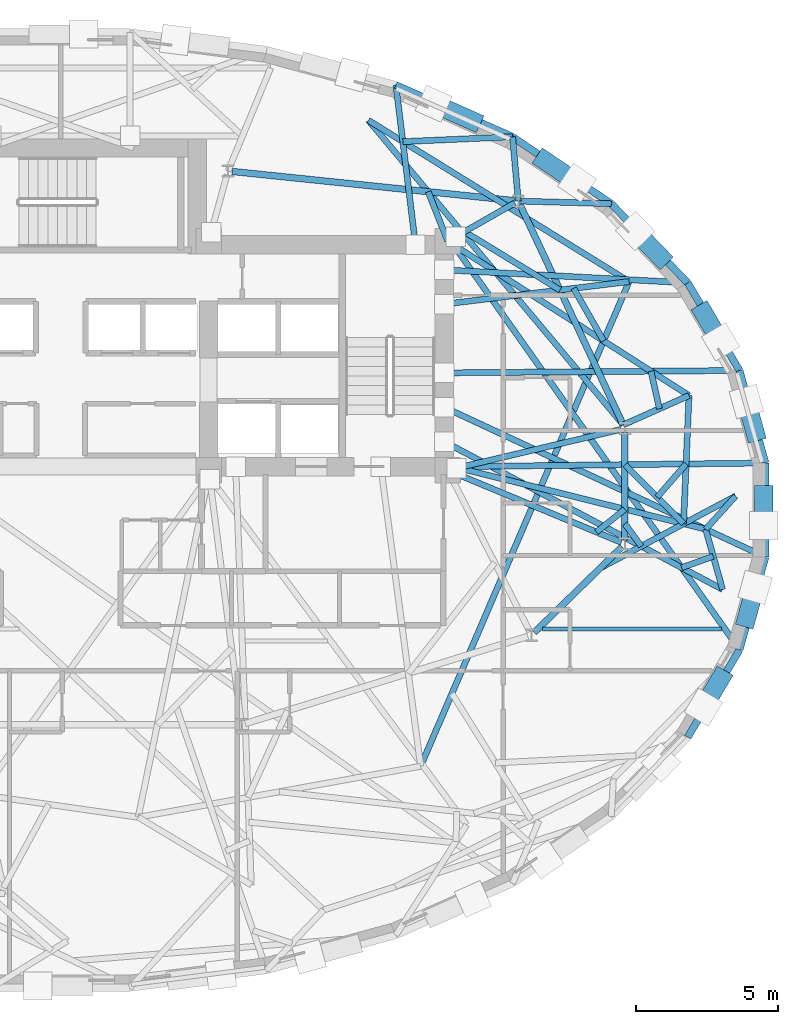
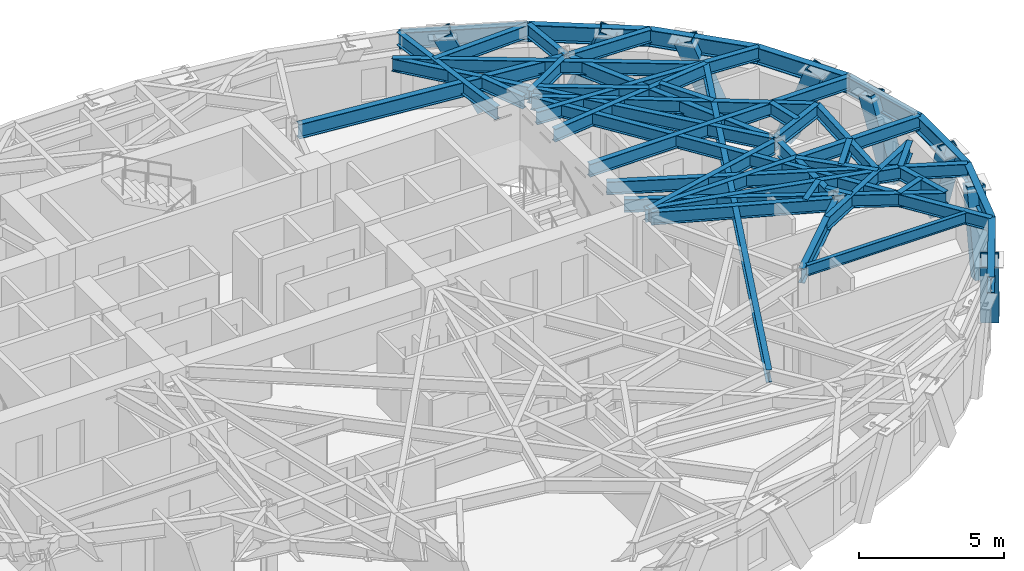
# One storey, part 4 of 15: 46 beams, 8 members.
"""IFC4 building model written with IfcOpenShell, lengths in metres."""

from ifc_helpers import new_model, si_unit, direction, frame, origin, origin_2d, place, context, subcontext, project, spatial, hollow_rectangle, i_section, extrude, material, material_profile, profile_set, type_object, element, save


model = new_model("IFC4")

# Units and contexts
model_context = context("Model", 3, precision=1e-05, world=origin(), true_north=direction((0.0, 1.0)))
body_context = subcontext(model_context, "Body", "Model", "MODEL_VIEW")
ifc_project = project(units=[si_unit("LENGTHUNIT", "METRE"), si_unit("AREAUNIT", "SQUARE_METRE"), si_unit("VOLUMEUNIT", "CUBIC_METRE"), si_unit("PLANEANGLEUNIT", "RADIAN"), si_unit("MASSUNIT", "GRAM", prefix="KILO")], contexts=[model_context])

# Site, building, storey
site_placement = place(None, origin())
site = spatial("IfcSite", under=ifc_project, at=site_placement, CompositionType="ELEMENT")
building_placement = place(site_placement, origin())
building = spatial("IfcBuilding", under=site, at=building_placement, Name="Keldmark Tower", CompositionType="ELEMENT")
storey_placement = place(building_placement, frame((0.0, 0.0, 159.800048828125)))
storey = spatial("IfcBuildingStorey", under=building, at=storey_placement, Name="L43", CompositionType="ELEMENT", Elevation=159.800048828125)

# Beam
ifc_material_1 = material(Name="Steel ASTM A992 Grade 50", Category="steel")
ifc_material_profile_1 = material_profile(ifc_material_1, i_section(OverallWidth=0.153076171875, OverallDepth=0.455078125, WebThickness=0.008056640625, FlangeThickness=0.01318359375, at=origin_2d()), Name="W18X40")
ifc_profile_set_1 = profile_set([ifc_material_profile_1], Name="Steel ASTM A992 Grade 50")
beam_type_1 = type_object("IfcBeamType", Name="Composite Floor Joist W18X40", PredefinedType="JOIST", material=ifc_profile_set_1)
beam_1_placement = place(storey_placement, frame((16.923095703125, -4.179931640625, 2.79248046875), z_axis=(1.0, 0.0, 0.0), x_axis=(0.0, 1.0, 0.0)))
element("IfcBeam", 1, at=beam_1_placement, inside=storey, type_object=beam_type_1, Name="L43 Composite Floor Joist J05", PredefinedType="JOIST", context=body_context, shape_type="SweptSolid", body=[
    extrude(i_section(OverallWidth=0.153076171875, OverallDepth=0.455078125, WebThickness=0.008056640625, FlangeThickness=0.01318359375, at=origin_2d()), origin(), (0.0, 0.0, 1.0), 6.30224609375),
])

# Members
ifc_material_2 = material(Name="Steel ASTM A572 Grade 50", Category="steel")
ifc_material_profile_2 = material_profile(ifc_material_2, hollow_rectangle(XDim=0.64990234375, YDim=0.64990234375, WallThickness=0.0400390625, at=origin_2d()), Name="BOX650X650X40")
ifc_profile_set_2 = profile_set([ifc_material_profile_2], Name="Steel ASTM A572 Grade 50")
member_type = type_object("IfcMemberType", Name="Diagrid Zone 3 Brace BOX650X650X40", PredefinedType="BRACE", material=ifc_profile_set_2)
member_1_placement = place(storey_placement, frame((24.4033203125, 2.731689453125, -0.260009765625), z_axis=(-0.090395452008, 0.323152823602, 0.942019593668), x_axis=(-0.963031569275, -0.269388560595, 0.0)))
element("IfcMember", 2, at=member_1_placement, inside=storey, type_object=member_type, Name="L43 Perimeter Diagrid Brace 01A", PredefinedType="BRACE", context=body_context, shape_type="SweptSolid", body=[
    extrude(hollow_rectangle(XDim=0.64990234375, YDim=0.64990234375, WallThickness=0.0400390625, at=origin_2d()), origin(), (0.0, 0.0, 1.0), 3.3544921875),
])
member_2_placement = place(storey_placement, frame((22.586181640625, 6.94091796875, -0.260009765625), z_axis=(0.179634339939, -0.303896484951, 0.935616604357), x_axis=(0.860853140724, 0.508853485894, 0.0)))
element("IfcMember", 3, at=member_2_placement, inside=storey, type_object=member_type, Name="L43 Perimeter Diagrid Brace 01B", PredefinedType="BRACE", context=body_context, shape_type="SweptSolid", body=[
    extrude(hollow_rectangle(XDim=0.64990234375, YDim=0.64990234375, WallThickness=0.0400390625, at=origin_2d()), origin(), (0.0, 0.0, 1.0), 3.37744140625),
])
member_3_placement = place(storey_placement, frame((21.08837890625, 8.883056640625, -0.260009765625), z_axis=(-0.262483667506, 0.271497824526, 0.925954240538), x_axis=(-0.718941040515, -0.695071061304, 0.0)))
element("IfcMember", 4, at=member_3_placement, inside=storey, type_object=member_type, Name="L43 Perimeter Diagrid Brace 02A", PredefinedType="BRACE", context=body_context, shape_type="SweptSolid", body=[
    extrude(hollow_rectangle(XDim=0.64990234375, YDim=0.64990234375, WallThickness=0.0400390625, at=origin_2d()), origin(), (0.0, 0.0, 1.0), 3.41259765625),
])
member_4_placement = place(storey_placement, frame((16.990234375, 12.294677734375, -0.260009765625), z_axis=(0.334787205548, -0.226960005112, 0.914552722964), x_axis=(0.56113396057, 0.827725001613, 0.0)))
element("IfcMember", 5, at=member_4_placement, inside=storey, type_object=member_type, Name="L43 Perimeter Diagrid Brace 02B", PredefinedType="BRACE", context=body_context, shape_type="SweptSolid", body=[
    extrude(hollow_rectangle(XDim=0.64990234375, YDim=0.64990234375, WallThickness=0.0400390625, at=origin_2d()), origin(), (0.0, 0.0, 1.0), 3.455078125),
])
member_5_placement = place(storey_placement, frame((14.474853515625, 13.677490234375, -0.260009765625), z_axis=(-0.390998466283, 0.173676225334, 0.903856608162), x_axis=(-0.405941576502, -0.913899029689, 0.0)))
element("IfcMember", 6, at=member_5_placement, inside=storey, type_object=member_type, Name="L43 Perimeter Diagrid Brace 03A", PredefinedType="BRACE", context=body_context, shape_type="SweptSolid", body=[
    extrude(hollow_rectangle(XDim=0.64990234375, YDim=0.64990234375, WallThickness=0.0400390625, at=origin_2d()), origin(), (0.0, 0.0, 1.0), 3.49609375),
])
member_6_placement = place(storey_placement, frame((23.197265625, -5.90380859375, -0.260009765625), z_axis=(-0.17963828579, -0.303830871297, 0.935637156127), x_axis=(0.860800105218, -0.508943198065, 0.0)))
element("IfcMember", 7, at=member_6_placement, inside=storey, type_object=member_type, Name="L43 Perimeter Diagrid Brace 15B", PredefinedType="BRACE", context=body_context, shape_type="SweptSolid", body=[
    extrude(hollow_rectangle(XDim=0.64990234375, YDim=0.64990234375, WallThickness=0.0400390625, at=origin_2d()), origin(), (0.0, 0.0, 1.0), 3.377197265625),
])
member_7_placement = place(storey_placement, frame((24.1025390625, -3.80419921875, -0.260009765625), z_axis=(0.090323263856, 0.323154948847, 0.942025788947), x_axis=(-0.963087821591, 0.269187384368, 0.0)))
element("IfcMember", 8, at=member_7_placement, inside=storey, type_object=member_type, Name="L43 Perimeter Diagrid Brace 16A", PredefinedType="BRACE", context=body_context, shape_type="SweptSolid", body=[
    extrude(hollow_rectangle(XDim=0.64990234375, YDim=0.64990234375, WallThickness=0.0400390625, at=origin_2d()), origin(), (0.0, 0.0, 1.0), 3.3544921875),
])
member_8_placement = place(storey_placement, frame((24.706298828125, 0.55712890625, -0.260009765625), z_axis=(0.0, -0.329437190493, 0.944177492593), x_axis=(1.0, 0.0, 0.0)))
element("IfcMember", 9, at=member_8_placement, inside=storey, type_object=member_type, Name="L43 Perimeter Diagrid Brace 16B", PredefinedType="BRACE", context=body_context, shape_type="SweptSolid", body=[
    extrude(hollow_rectangle(XDim=0.64990234375, YDim=0.64990234375, WallThickness=0.0400390625, at=origin_2d()), origin(), (0.0, 0.0, 1.0), 3.3466796875),
])

# Beams
ifc_material_3 = material(Name="Steel ASTM A992 Grade 50", Category="steel")
ifc_material_profile_3 = material_profile(ifc_material_3, i_section(OverallWidth=0.22900390625, OverallDepth=0.612060546875, WebThickness=0.011962890625, FlangeThickness=0.01953125, at=origin_2d()), Name="W24X84")
ifc_profile_set_3 = profile_set([ifc_material_profile_3], Name="Steel ASTM A992 Grade 50")
beam_type_2 = type_object("IfcBeamType", Name="Primary Floor Girder W24X84", PredefinedType="BEAM", material=ifc_profile_set_3)
beam_2_placement = place(storey_placement, frame((19.76904296875, 2.99609375, 2.7138671875), z_axis=(-0.424526823774, 0.905415360979, 0.0), x_axis=(-0.905415360979, -0.424526823774, 0.0)))
element("IfcBeam", 10, at=beam_2_placement, inside=storey, type_object=beam_type_2, Name="L43 Floor Ring Girder FG-R01", PredefinedType="BEAM", context=body_context, shape_type="SweptSolid", body=[
    extrude(i_section(OverallWidth=0.22900390625, OverallDepth=0.612060546875, WebThickness=0.011962890625, FlangeThickness=0.01953125, at=origin_2d()), origin(), (0.0, 0.0, 1.0), 8.54638671875),
])
beam_3_placement = place(storey_placement, frame((15.942138671875, 10.87548828125, 2.7138671875), z_axis=(-0.994702930931, 0.102791435423, 0.0), x_axis=(-0.102791435423, -0.994702930931, 0.0)))
element("IfcBeam", 11, at=beam_3_placement, inside=storey, type_object=beam_type_2, Name="L43 Floor Ring Girder FG-R02", PredefinedType="BEAM", context=body_context, shape_type="SweptSolid", body=[
    extrude(i_section(OverallWidth=0.22900390625, OverallDepth=0.612060546875, WebThickness=0.011962890625, FlangeThickness=0.01953125, at=origin_2d()), origin(), (0.0, 0.0, 1.0), 9.975341796875),
])
beam_4_placement = place(storey_placement, frame((16.646728515625, -4.300537109375, 2.7138671875), z_axis=(0.714964509815, 0.699160746684, 0.0), x_axis=(-0.699160746684, 0.714964509815, 0.0)))
element("IfcBeam", 12, at=beam_4_placement, inside=storey, type_object=beam_type_2, Name="L43 Floor Ring Girder FG-R11", PredefinedType="BEAM", context=body_context, shape_type="SweptSolid", body=[
    extrude(i_section(OverallWidth=0.22900390625, OverallDepth=0.612060546875, WebThickness=0.011962890625, FlangeThickness=0.01953125, at=origin_2d()), origin(), (0.0, 0.0, 1.0), 4.31005859375),
])
beam_5_placement = place(storey_placement, frame((19.828369140625, -1.04931640625, 2.7138671875), z_axis=(0.0, 1.0, 0.0), x_axis=(-1.0, 0.0, 0.0)))
element("IfcBeam", 13, at=beam_5_placement, inside=storey, type_object=beam_type_2, Name="L43 Floor Ring Girder FG-R12", PredefinedType="BEAM", context=body_context, shape_type="SweptSolid", body=[
    extrude(i_section(OverallWidth=0.22900390625, OverallDepth=0.612060546875, WebThickness=0.011962890625, FlangeThickness=0.01953125, at=origin_2d()), origin(), (0.0, 0.0, 1.0), 3.778564453125),
])
ifc_material_4 = material(Name="Steel ASTM A992 Grade 50", Category="steel")
ifc_material_profile_4 = material_profile(ifc_material_4, i_section(OverallWidth=0.2099609375, OverallDepth=0.537109375, WebThickness=0.010986328125, FlangeThickness=0.017333984375, at=origin_2d()), Name="W21X68")
ifc_profile_set_4 = profile_set([ifc_material_profile_4], Name="Steel ASTM A992 Grade 50")
beam_type_3 = type_object("IfcBeamType", Name="Radial Tie Girder W21X68", PredefinedType="BEAM", material=ifc_profile_set_4)
beam_6_placement = place(storey_placement, frame((19.692138671875, 2.837158203125, 2.75146484375), z_axis=(-0.973280062348, -0.229621253887, 0.0), x_axis=(0.229621253887, -0.973280062348, 0.0)))
element("IfcBeam", 14, at=beam_6_placement, inside=storey, type_object=beam_type_3, Name="L43 Floor Radial Girder FG-C01", PredefinedType="BEAM", context=body_context, shape_type="SweptSolid", body=[
    extrude(i_section(OverallWidth=0.2099609375, OverallDepth=0.537109375, WebThickness=0.010986328125, FlangeThickness=0.017333984375, at=origin_2d()), origin(), (0.0, 0.0, 1.0), 5.939208984375),
])
beam_7_placement = place(storey_placement, frame((15.959716796875, 10.791748046875, 2.75146484375), z_axis=(-0.86929527307, -0.494293160197, 0.0), x_axis=(0.494293160197, -0.86929527307, 0.0)))
element("IfcBeam", 15, at=beam_7_placement, inside=storey, type_object=beam_type_3, Name="L43 Floor Radial Girder FG-C02", PredefinedType="BEAM", context=body_context, shape_type="SweptSolid", body=[
    extrude(i_section(OverallWidth=0.2099609375, OverallDepth=0.537109375, WebThickness=0.010986328125, FlangeThickness=0.017333984375, at=origin_2d()), origin(), (0.0, 0.0, 1.0), 2.39453125),
])
beam_8_placement = place(storey_placement, frame((19.69921875, -1.135498046875, 2.75146484375), z_axis=(-0.923393794893, 0.383854008124, 0.0), x_axis=(-0.383854008124, -0.923393794893, 0.0)))
element("IfcBeam", 16, at=beam_8_placement, inside=storey, type_object=beam_type_3, Name="L43 Floor Radial Girder FG-C12", PredefinedType="BEAM", context=body_context, shape_type="SweptSolid", body=[
    extrude(i_section(OverallWidth=0.2099609375, OverallDepth=0.537109375, WebThickness=0.010986328125, FlangeThickness=0.017333984375, at=origin_2d()), origin(), (0.0, 0.0, 1.0), 6.28515625),
])
beam_9_placement = place(storey_placement, frame((18.82861328125, -0.773681640625, 2.75146484375), z_axis=(0.779288200564, 0.626665700722, 0.0), x_axis=(-0.626665700722, 0.779288200564, 0.0)))
element("IfcBeam", 17, at=beam_9_placement, inside=storey, type_object=beam_type_3, Name="L43 Framing Pin Header PH-002", PredefinedType="BEAM", context=body_context, shape_type="SweptSolid", body=[
    extrude(i_section(OverallWidth=0.2099609375, OverallDepth=0.537109375, WebThickness=0.010986328125, FlangeThickness=0.017333984375, at=origin_2d()), origin(), (0.0, 0.0, 1.0), 1.282958984375),
])
beam_10_placement = place(storey_placement, frame((13.800048828125, 1.52490234375, 2.75146484375), z_axis=(0.970610768192, -0.240654808118, 0.0), x_axis=(0.240654808118, 0.970610768192, 0.0)))
element("IfcBeam", 18, at=beam_10_placement, inside=storey, type_object=beam_type_3, Name="L43 Sub-Ring Step Girder STP1-M12", PredefinedType="BEAM", context=body_context, shape_type="SweptSolid", body=[
    extrude(i_section(OverallWidth=0.2099609375, OverallDepth=0.537109375, WebThickness=0.010986328125, FlangeThickness=0.017333984375, at=origin_2d()), origin(), (0.0, 0.0, 1.0), 9.134521484375),
])
beam_11_placement = place(storey_placement, frame((14.1904296875, 9.78564453125, 2.75146484375), z_axis=(0.853199007527, -0.521585518927, 0.0), x_axis=(0.521585518927, 0.853199007527, 0.0)))
element("IfcBeam", 19, at=beam_11_placement, inside=storey, type_object=beam_type_3, Name="L43 Framing Pin Header PH-003", PredefinedType="BEAM", context=body_context, shape_type="SweptSolid", body=[
    extrude(i_section(OverallWidth=0.2099609375, OverallDepth=0.537109375, WebThickness=0.010986328125, FlangeThickness=0.017333984375, at=origin_2d()), origin(), (0.0, 0.0, 1.0), 3.93505859375),
])
beam_12_placement = place(storey_placement, frame((13.47509765625, 7.235595703125, 2.75146484375), z_axis=(0.992620947645, 0.12125862566, 0.0), x_axis=(-0.12125862566, 0.992620947645, 0.0)))
element("IfcBeam", 20, at=beam_12_placement, inside=storey, type_object=beam_type_3, Name="L43 Sub-Ring Step Girder STP2-M01", PredefinedType="BEAM", context=body_context, shape_type="SweptSolid", body=[
    extrude(i_section(OverallWidth=0.2099609375, OverallDepth=0.537109375, WebThickness=0.010986328125, FlangeThickness=0.017333984375, at=origin_2d()), origin(), (0.0, 0.0, 1.0), 6.549560546875),
])
beam_13_placement = place(storey_placement, frame((13.60009765625, 9.449951171875, 2.75146484375), z_axis=(-0.367288459478, 0.930107083907, 0.0), x_axis=(-0.930107083907, -0.367288459478, 0.0)))
element("IfcBeam", 21, at=beam_13_placement, inside=storey, type_object=beam_type_3, Name="L43 Framing Pin Header PH-004", PredefinedType="BEAM", context=body_context, shape_type="SweptSolid", body=[
    extrude(i_section(OverallWidth=0.2099609375, OverallDepth=0.537109375, WebThickness=0.010986328125, FlangeThickness=0.017333984375, at=origin_2d()), origin(), (0.0, 0.0, 1.0), 1.869140625),
])
beam_14_placement = place(storey_placement, frame((19.76904296875, 2.99609375, 2.75146484375), z_axis=(-0.641759384886, 0.766906051555, 0.0), x_axis=(-0.766906051555, -0.641759384886, 0.0)))
element("IfcBeam", 22, at=beam_14_placement, inside=storey, type_object=beam_type_3, Name="L43 Sub-Ring Step Girder STP2-M02", PredefinedType="BEAM", context=body_context, shape_type="SweptSolid", body=[
    extrude(i_section(OverallWidth=0.2099609375, OverallDepth=0.537109375, WebThickness=0.010986328125, FlangeThickness=0.017333984375, at=origin_2d()), origin(), (0.0, 0.0, 1.0), 13.954345703125),
])
beam_15_placement = place(storey_placement, frame((19.976318359375, 8.02978515625, 2.75146484375), z_axis=(-0.850436056083, 0.526078430003, 0.0), x_axis=(-0.526078430003, -0.850436056083, 0.0)))
element("IfcBeam", 23, at=beam_15_placement, inside=storey, type_object=beam_type_3, Name="L43 Perimeter Collector Ring Beam CRG2-M01", PredefinedType="BEAM", context=body_context, shape_type="SweptSolid", body=[
    extrude(i_section(OverallWidth=0.2099609375, OverallDepth=0.537109375, WebThickness=0.010986328125, FlangeThickness=0.017333984375, at=origin_2d()), origin(), (0.0, 0.0, 1.0), 10.77392578125),
])
beam_16_placement = place(storey_placement, frame((12.649658203125, -9.0029296875, 2.75146484375), z_axis=(0.395145761568, 0.918618433908, 0.0), x_axis=(-0.918618433908, 0.395145761568, 0.0)))
element("IfcBeam", 24, at=beam_16_placement, inside=storey, type_object=beam_type_3, Name="L43 Perimeter Collector Ring Beam CRG2-M11", PredefinedType="BEAM", context=body_context, shape_type="SweptSolid", body=[
    extrude(i_section(OverallWidth=0.2099609375, OverallDepth=0.537109375, WebThickness=0.010986328125, FlangeThickness=0.017333984375, at=origin_2d()), origin(), (0.0, 0.0, 1.0), 18.541748046875),
])
beam_17_placement = place(storey_placement, frame((19.828369140625, 1.595703125, 2.75146484375), z_axis=(0.704557619254, -0.70964678619, 0.0), x_axis=(0.70964678619, 0.704557619254, 0.0)))
element("IfcBeam", 25, at=beam_17_placement, inside=storey, type_object=beam_type_3, Name="L43 Framing Pin Header PH-009", PredefinedType="BEAM", context=body_context, shape_type="SweptSolid", body=[
    extrude(i_section(OverallWidth=0.2099609375, OverallDepth=0.537109375, WebThickness=0.010986328125, FlangeThickness=0.017333984375, at=origin_2d()), origin(), (0.0, 0.0, 1.0), 2.92626953125),
])
beam_18_placement = place(storey_placement, frame((18.9580078125, -2.04052734375, 2.75146484375), z_axis=(0.882900362005, 0.469560380326, 0.0), x_axis=(-0.469560380326, 0.882900362005, 0.0)))
element("IfcBeam", 26, at=beam_18_placement, inside=storey, type_object=beam_type_3, Name="L43 Intermediate Radial Step Girder RT-01M", PredefinedType="BEAM", context=body_context, shape_type="SweptSolid", body=[
    extrude(i_section(OverallWidth=0.2099609375, OverallDepth=0.537109375, WebThickness=0.010986328125, FlangeThickness=0.017333984375, at=origin_2d()), origin(), (0.0, 0.0, 1.0), 5.38916015625),
])
beam_19_placement = place(storey_placement, frame((22.666015625, -0.67333984375, 2.75146484375), z_axis=(0.670039907955, 0.742325078216, 0.0), x_axis=(-0.742325078216, 0.670039907955, 0.0)))
element("IfcBeam", 27, at=beam_19_placement, inside=storey, type_object=beam_type_3, Name="L43 Local Collector Chord RT-01C", PredefinedType="BEAM", context=body_context, shape_type="SweptSolid", body=[
    extrude(i_section(OverallWidth=0.2099609375, OverallDepth=0.537109375, WebThickness=0.010986328125, FlangeThickness=0.017333984375, at=origin_2d()), origin(), (0.0, 0.0, 1.0), 1.567138671875),
])
beam_20_placement = place(storey_placement, frame((18.02587890625, 7.79150390625, 2.75146484375), z_axis=(0.495879140901, -0.868391546262, 0.0), x_axis=(0.868391546262, 0.495879140901, 0.0)))
element("IfcBeam", 28, at=beam_20_placement, inside=storey, type_object=beam_type_3, Name="L43 Framing Pin Header PH-010", PredefinedType="BEAM", context=body_context, shape_type="SweptSolid", body=[
    extrude(i_section(OverallWidth=0.2099609375, OverallDepth=0.537109375, WebThickness=0.010986328125, FlangeThickness=0.017333984375, at=origin_2d()), origin(), (0.0, 0.0, 1.0), 2.12548828125),
])
beam_21_placement = place(storey_placement, frame((13.800048828125, 9.324951171875, 2.75146484375), z_axis=(0.842254713998, -0.539079768447, 0.0), x_axis=(0.539079768447, 0.842254713998, 0.0)))
element("IfcBeam", 29, at=beam_21_placement, inside=storey, type_object=beam_type_3, Name="L43 Intermediate Radial Step Girder RT-02M", PredefinedType="BEAM", context=body_context, shape_type="SweptSolid", body=[
    extrude(i_section(OverallWidth=0.2099609375, OverallDepth=0.537109375, WebThickness=0.010986328125, FlangeThickness=0.017333984375, at=origin_2d()), origin(), (0.0, 0.0, 1.0), 9.83154296875),
])
beam_22_placement = place(storey_placement, frame((19.76904296875, 2.99609375, 2.75146484375), z_axis=(0.913612501714, 0.406586026214, 0.0), x_axis=(-0.406586026214, 0.913612501714, 0.0)))
element("IfcBeam", 30, at=beam_22_placement, inside=storey, type_object=beam_type_3, Name="L43 Local Collector Chord RT-02C", PredefinedType="BEAM", context=body_context, shape_type="SweptSolid", body=[
    extrude(i_section(OverallWidth=0.2099609375, OverallDepth=0.537109375, WebThickness=0.010986328125, FlangeThickness=0.017333984375, at=origin_2d()), origin(), (0.0, 0.0, 1.0), 2.5302734375),
])
beam_23_placement = place(storey_placement, frame((21.04052734375, 3.56201171875, 2.75146484375), z_axis=(-0.219168228512, 0.975687084885, 0.0), x_axis=(-0.975687084885, -0.219168228512, 0.0)))
element("IfcBeam", 31, at=beam_23_placement, inside=storey, type_object=beam_type_3, Name="L43 Framing Pin Header PH-011", PredefinedType="BEAM", context=body_context, shape_type="SweptSolid", body=[
    extrude(i_section(OverallWidth=0.2099609375, OverallDepth=0.537109375, WebThickness=0.010986328125, FlangeThickness=0.017333984375, at=origin_2d()), origin(), (0.0, 0.0, 1.0), 1.351318359375),
])
beam_24_placement = place(storey_placement, frame((13.47509765625, 4.8212890625, 2.75146484375), z_axis=(0.999966899663, 0.008136312371, 0.0), x_axis=(-0.008136312371, 0.999966899663, 0.0)))
element("IfcBeam", 32, at=beam_24_placement, inside=storey, type_object=beam_type_3, Name="L43 Perimeter Radial Tie Girder RT-02", PredefinedType="BEAM", context=body_context, shape_type="SweptSolid", body=[
    extrude(i_section(OverallWidth=0.2099609375, OverallDepth=0.537109375, WebThickness=0.010986328125, FlangeThickness=0.017333984375, at=origin_2d()), origin(), (0.0, 0.0, 1.0), 10.382080078125),
])
beam_25_placement = place(storey_placement, frame((13.47509765625, 8.44287109375, 2.75146484375), z_axis=(0.998570711465, -0.053446554661, 0.0), x_axis=(0.053446554661, 0.998570711465, 0.0)))
element("IfcBeam", 33, at=beam_25_placement, inside=storey, type_object=beam_type_3, Name="L43 Perimeter Radial Tie Girder RT-03", PredefinedType="BEAM", context=body_context, shape_type="SweptSolid", body=[
    extrude(i_section(OverallWidth=0.2099609375, OverallDepth=0.537109375, WebThickness=0.010986328125, FlangeThickness=0.017333984375, at=origin_2d()), origin(), (0.0, 0.0, 1.0), 8.573974609375),
])
beam_26_placement = place(storey_placement, frame((16.08154296875, 10.861083984375, 2.75146484375), z_axis=(0.999564975012, -0.029493401444, 0.0), x_axis=(0.029493401444, 0.999564975012, 0.0)))
element("IfcBeam", 34, at=beam_26_placement, inside=storey, type_object=beam_type_3, Name="L43 Perimeter Column Bracket RT-04", PredefinedType="BEAM", context=body_context, shape_type="SweptSolid", body=[
    extrude(i_section(OverallWidth=0.2099609375, OverallDepth=0.537109375, WebThickness=0.010986328125, FlangeThickness=0.017333984375, at=origin_2d()), origin(), (0.0, 0.0, 1.0), 3.269775390625),
])
beam_27_placement = place(storey_placement, frame((16.08154296875, 10.861083984375, 2.75146484375), z_axis=(-0.089048441045, 0.996027296387, 0.0), x_axis=(-0.996027296387, -0.089048441045, 0.0)))
element("IfcBeam", 35, at=beam_27_placement, inside=storey, type_object=beam_type_3, Name="L43 Perimeter Column Bracket RT-05", PredefinedType="BEAM", context=body_context, shape_type="SweptSolid", body=[
    extrude(i_section(OverallWidth=0.2099609375, OverallDepth=0.537109375, WebThickness=0.010986328125, FlangeThickness=0.017333984375, at=origin_2d()), origin(), (0.0, 0.0, 1.0), 2.2646484375),
])
beam_28_placement = place(storey_placement, frame((15.8798828125, 13.11669921875, 2.75146484375), z_axis=(-0.999064017094, -0.043256094929, 0.0), x_axis=(0.043256094929, -0.999064017094, 0.0)))
element("IfcBeam", 36, at=beam_28_placement, inside=storey, type_object=beam_type_3, Name="L43 Framing Pin Header PH-012", PredefinedType="BEAM", context=body_context, shape_type="SweptSolid", body=[
    extrude(i_section(OverallWidth=0.2099609375, OverallDepth=0.537109375, WebThickness=0.010986328125, FlangeThickness=0.017333984375, at=origin_2d()), origin(), (0.0, 0.0, 1.0), 3.860595703125),
])
beam_29_placement = place(storey_placement, frame((12.468017578125, 9.324951171875, 2.75146484375), z_axis=(-0.121871902014, 0.99254583748, 0.0), x_axis=(-0.99254583748, -0.121871902014, 0.0)))
element("IfcBeam", 37, at=beam_29_placement, inside=storey, type_object=beam_type_3, Name="L43 Perimeter Radial Tie Girder RT-06", PredefinedType="BEAM", context=body_context, shape_type="SweptSolid", body=[
    extrude(i_section(OverallWidth=0.2099609375, OverallDepth=0.537109375, WebThickness=0.010986328125, FlangeThickness=0.017333984375, at=origin_2d()), origin(), (0.0, 0.0, 1.0), 5.6552734375),
])
beam_30_placement = place(storey_placement, frame((19.828369140625, -0.482421875, 2.75146484375), z_axis=(0.588781022217, -0.808292588038, 0.0), x_axis=(0.808292588038, 0.588781022217, 0.0)))
element("IfcBeam", 38, at=beam_30_placement, inside=storey, type_object=beam_type_3, Name="L43 Framing Pin Header PH-034", PredefinedType="BEAM", context=body_context, shape_type="SweptSolid", body=[
    extrude(i_section(OverallWidth=0.2099609375, OverallDepth=0.537109375, WebThickness=0.010986328125, FlangeThickness=0.017333984375, at=origin_2d()), origin(), (0.0, 0.0, 1.0), 0.9765625),
])
beam_31_placement = place(storey_placement, frame((13.47509765625, 2.406982421875, 2.75146484375), z_axis=(0.883208416971, -0.468980694904, 0.0), x_axis=(0.468980694904, 0.883208416971, 0.0)))
element("IfcBeam", 39, at=beam_31_placement, inside=storey, type_object=beam_type_3, Name="L43 Intermediate Radial Step Girder RT-31M", PredefinedType="BEAM", context=body_context, shape_type="SweptSolid", body=[
    extrude(i_section(OverallWidth=0.2099609375, OverallDepth=0.537109375, WebThickness=0.010986328125, FlangeThickness=0.017333984375, at=origin_2d()), origin(), (0.0, 0.0, 1.0), 11.08056640625),
])
beam_32_placement = place(storey_placement, frame((22.666015625, -0.67333984375, 2.75146484375), z_axis=(0.2708613528, -0.962618370674, 0.0), x_axis=(0.962618370674, 0.2708613528, 0.0)))
element("IfcBeam", 40, at=beam_32_placement, inside=storey, type_object=beam_type_3, Name="L43 Local Collector Chord RT-31C", PredefinedType="BEAM", context=body_context, shape_type="SweptSolid", body=[
    extrude(i_section(OverallWidth=0.2099609375, OverallDepth=0.537109375, WebThickness=0.010986328125, FlangeThickness=0.017333984375, at=origin_2d()), origin(), (0.0, 0.0, 1.0), 2.198486328125),
])
beam_33_placement = place(storey_placement, frame((22.933837890625, -1.62548828125, 2.75146484375), z_axis=(-0.941362916354, -0.337395701979, 0.0), x_axis=(0.337395701979, -0.941362916354, 0.0)))
element("IfcBeam", 41, at=beam_33_placement, inside=storey, type_object=beam_type_3, Name="L43 Framing Pin Header PH-035", PredefinedType="BEAM", context=body_context, shape_type="SweptSolid", body=[
    extrude(i_section(OverallWidth=0.2099609375, OverallDepth=0.537109375, WebThickness=0.010986328125, FlangeThickness=0.017333984375, at=origin_2d()), origin(), (0.0, 0.0, 1.0), 1.182373046875),
])
beam_34_placement = place(storey_placement, frame((13.800048828125, 9.324951171875, 2.75146484375), z_axis=(0.577130311447, -0.816652070107, 0.0), x_axis=(0.816652070107, 0.577130311447, 0.0)))
element("IfcBeam", 42, at=beam_34_placement, inside=storey, type_object=beam_type_3, Name="L43 Perimeter Radial Tie Girder RT-31", PredefinedType="BEAM", context=body_context, shape_type="SweptSolid", body=[
    extrude(i_section(OverallWidth=0.2099609375, OverallDepth=0.537109375, WebThickness=0.010986328125, FlangeThickness=0.017333984375, at=origin_2d()), origin(), (0.0, 0.0, 1.0), 17.42578125),
])
beam_35_placement = place(storey_placement, frame((13.47509765625, 3.6142578125, 2.75146484375), z_axis=(0.906223684344, -0.422798573713, 0.0), x_axis=(0.422798573713, 0.906223684344, 0.0)))
element("IfcBeam", 43, at=beam_35_placement, inside=storey, type_object=beam_type_3, Name="L43 Perimeter Radial Tie Girder RT-32", PredefinedType="BEAM", context=body_context, shape_type="SweptSolid", body=[
    extrude(i_section(OverallWidth=0.2099609375, OverallDepth=0.537109375, WebThickness=0.010986328125, FlangeThickness=0.017333984375, at=origin_2d()), origin(), (0.0, 0.0, 1.0), 12.45947265625),
])
beam_36_placement = place(storey_placement, frame((21.89013671875, -0.48095703125, 2.75146484375), z_axis=(0.042279023778, 0.999105842315, 0.0), x_axis=(-0.999105842315, 0.042279023778, 0.0)))
element("IfcBeam", 44, at=beam_36_placement, inside=storey, type_object=beam_type_3, Name="L43 Straddling Support Chord RT-01RB", PredefinedType="BEAM", context=body_context, shape_type="SweptSolid", body=[
    extrude(i_section(OverallWidth=0.2099609375, OverallDepth=0.537109375, WebThickness=0.010986328125, FlangeThickness=0.017333984375, at=origin_2d()), origin(), (0.0, 0.0, 1.0), 4.510009765625),
])
beam_37_placement = place(storey_placement, frame((20.96240234375, 0.45361328125, 2.75146484375), z_axis=(0.656772065151, 0.754089155496, 0.0), x_axis=(-0.754089155496, 0.656772065151, 0.0)))
element("IfcBeam", 45, at=beam_37_placement, inside=storey, type_object=beam_type_3, Name="L43 Framing Pin Header PH-036", PredefinedType="BEAM", context=body_context, shape_type="SweptSolid", body=[
    extrude(i_section(OverallWidth=0.2099609375, OverallDepth=0.537109375, WebThickness=0.010986328125, FlangeThickness=0.017333984375, at=origin_2d()), origin(), (0.0, 0.0, 1.0), 1.5478515625),
])
beam_38_placement = place(storey_placement, frame((13.800048828125, 1.52490234375, 2.75146484375), z_axis=(0.999931178376, 0.011731944052, 0.0), x_axis=(-0.011731944052, 0.999931178376, 0.0)))
element("IfcBeam", 46, at=beam_38_placement, inside=storey, type_object=beam_type_3, Name="L43 Perimeter Radial Tie Girder RT-01R", PredefinedType="BEAM", context=body_context, shape_type="SweptSolid", body=[
    extrude(i_section(OverallWidth=0.2099609375, OverallDepth=0.537109375, WebThickness=0.010986328125, FlangeThickness=0.017333984375, at=origin_2d()), origin(), (0.0, 0.0, 1.0), 10.966796875),
])
ifc_material_5 = material(Name="Steel ASTM A992 Grade 50", Category="steel")
ifc_material_profile_5 = material_profile(ifc_material_5, i_section(OverallWidth=0.256103515625, OverallDepth=0.693115234375, WebThickness=0.014404296875, FlangeThickness=0.023681640625, at=origin_2d()), Name="W27X114")
ifc_profile_set_5 = profile_set([ifc_material_profile_5], Name="Steel ASTM A992 Grade 50")
beam_type_4 = type_object("IfcBeamType", Name="Spandrel Ring Beam W27X114", PredefinedType="SPANDREL", material=ifc_profile_set_5)
beam_39_placement = place(storey_placement, frame((24.76611328125, 1.653564453125, 2.67333984375), z_axis=(-0.269235699479, 0.963074315993, 0.0), x_axis=(-0.963074315993, -0.269235699479, 0.0)))
element("IfcBeam", 47, at=beam_39_placement, inside=storey, type_object=beam_type_4, Name="L43 Perimeter Spandrel Ring Beam SRB-01", PredefinedType="SPANDREL", context=body_context, shape_type="SweptSolid", body=[
    extrude(i_section(OverallWidth=0.256103515625, OverallDepth=0.693115234375, WebThickness=0.014404296875, FlangeThickness=0.023681640625, at=origin_2d()), origin(), (0.0, 0.0, 1.0), 3.376953125),
])
beam_40_placement = place(storey_placement, frame((23.85693359375, 4.90576171875, 2.67333984375), z_axis=(-0.508883387051, 0.860835465338, 0.0), x_axis=(-0.860835465338, -0.508883387051, 0.0)))
element("IfcBeam", 48, at=beam_40_placement, inside=storey, type_object=beam_type_4, Name="L43 Perimeter Spandrel Ring Beam SRB-02", PredefinedType="SPANDREL", context=body_context, shape_type="SweptSolid", body=[
    extrude(i_section(OverallWidth=0.256103515625, OverallDepth=0.693115234375, WebThickness=0.014404296875, FlangeThickness=0.023681640625, at=origin_2d()), origin(), (0.0, 0.0, 1.0), 3.57666015625),
])
beam_41_placement = place(storey_placement, frame((22.036865234375, 7.984619140625, 2.67333984375), z_axis=(-0.694975307772, 0.719033602544, 0.0), x_axis=(-0.719033602544, -0.694975307772, 0.0)))
element("IfcBeam", 49, at=beam_41_placement, inside=storey, type_object=beam_type_4, Name="L43 Perimeter Spandrel Ring Beam SRB-03", PredefinedType="SPANDREL", context=body_context, shape_type="SweptSolid", body=[
    extrude(i_section(OverallWidth=0.256103515625, OverallDepth=0.693115234375, WebThickness=0.014404296875, FlangeThickness=0.023681640625, at=origin_2d()), origin(), (0.0, 0.0, 1.0), 3.866455078125),
])
beam_42_placement = place(storey_placement, frame((19.349853515625, 10.7646484375, 2.67333984375), z_axis=(-0.827760762475, 0.561081206338, 0.0), x_axis=(-0.561081206338, -0.827760762475, 0.0)))
element("IfcBeam", 50, at=beam_42_placement, inside=storey, type_object=beam_type_4, Name="L43 Perimeter Spandrel Ring Beam SRB-04", PredefinedType="SPANDREL", context=body_context, shape_type="SweptSolid", body=[
    extrude(i_section(OverallWidth=0.256103515625, OverallDepth=0.693115234375, WebThickness=0.014404296875, FlangeThickness=0.023681640625, at=origin_2d()), origin(), (0.0, 0.0, 1.0), 4.19189453125),
])
beam_43_placement = place(storey_placement, frame((15.8798828125, 13.11669921875, 2.67333984375), z_axis=(-0.913928177397, 0.405875949719, 0.0), x_axis=(-0.405875949719, -0.913928177397, 0.0)))
element("IfcBeam", 51, at=beam_43_placement, inside=storey, type_object=beam_type_4, Name="L43 Perimeter Spandrel Ring Beam SRB-05", PredefinedType="SPANDREL", context=body_context, shape_type="SweptSolid", body=[
    extrude(i_section(OverallWidth=0.256103515625, OverallDepth=0.693115234375, WebThickness=0.014404296875, FlangeThickness=0.023681640625, at=origin_2d()), origin(), (0.0, 0.0, 1.0), 4.4873046875),
])
beam_44_placement = place(storey_placement, frame((22.036865234375, -7.984619140625, 2.67333984375), z_axis=(0.508883387051, 0.860835465338, 0.0), x_axis=(-0.860835465338, 0.508883387051, 0.0)))
element("IfcBeam", 52, at=beam_44_placement, inside=storey, type_object=beam_type_4, Name="L43 Perimeter Spandrel Ring Beam SRB-30", PredefinedType="SPANDREL", context=body_context, shape_type="SweptSolid", body=[
    extrude(i_section(OverallWidth=0.256103515625, OverallDepth=0.693115234375, WebThickness=0.014404296875, FlangeThickness=0.023681640625, at=origin_2d()), origin(), (0.0, 0.0, 1.0), 3.57666015625),
])
beam_45_placement = place(storey_placement, frame((23.85693359375, -4.90576171875, 2.67333984375), z_axis=(0.269235699479, 0.963074315993, 0.0), x_axis=(-0.963074315993, 0.269235699479, 0.0)))
element("IfcBeam", 53, at=beam_45_placement, inside=storey, type_object=beam_type_4, Name="L43 Perimeter Spandrel Ring Beam SRB-31", PredefinedType="SPANDREL", context=body_context, shape_type="SweptSolid", body=[
    extrude(i_section(OverallWidth=0.256103515625, OverallDepth=0.693115234375, WebThickness=0.014404296875, FlangeThickness=0.023681640625, at=origin_2d()), origin(), (0.0, 0.0, 1.0), 3.376953125),
])
beam_46_placement = place(storey_placement, frame((24.76611328125, -1.653564453125, 2.67333984375), z_axis=(0.0, 1.0, 0.0), x_axis=(-1.0, 0.0, 0.0)))
element("IfcBeam", 54, at=beam_46_placement, inside=storey, type_object=beam_type_4, Name="L43 Perimeter Spandrel Ring Beam SRB-32", PredefinedType="SPANDREL", context=body_context, shape_type="SweptSolid", body=[
    extrude(i_section(OverallWidth=0.256103515625, OverallDepth=0.693115234375, WebThickness=0.014404296875, FlangeThickness=0.023681640625, at=origin_2d()), origin(), (0.0, 0.0, 1.0), 3.30712890625),
])

save(model, "model.ifc")
